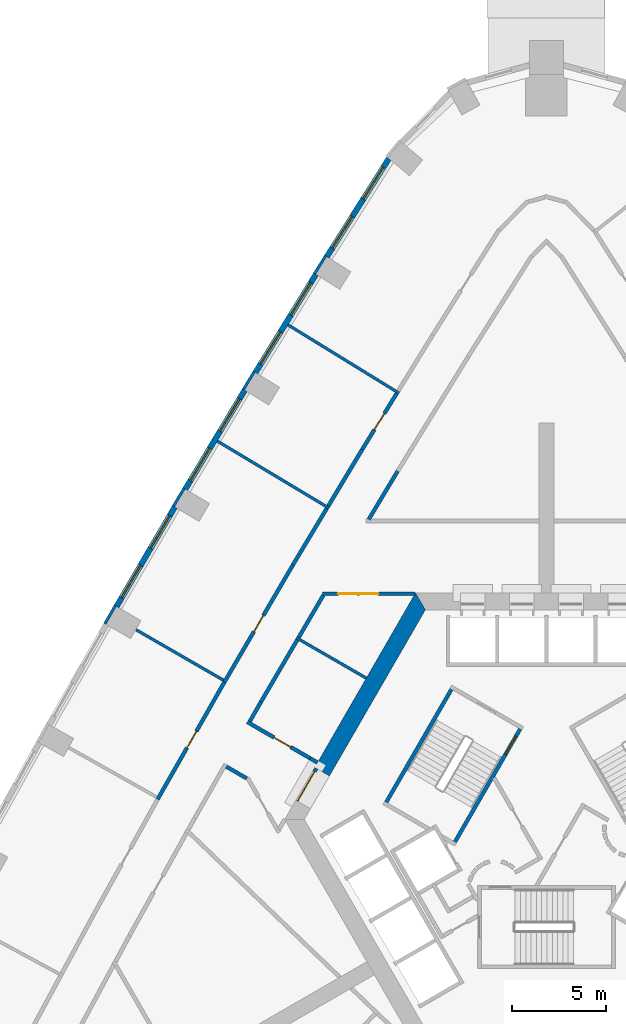
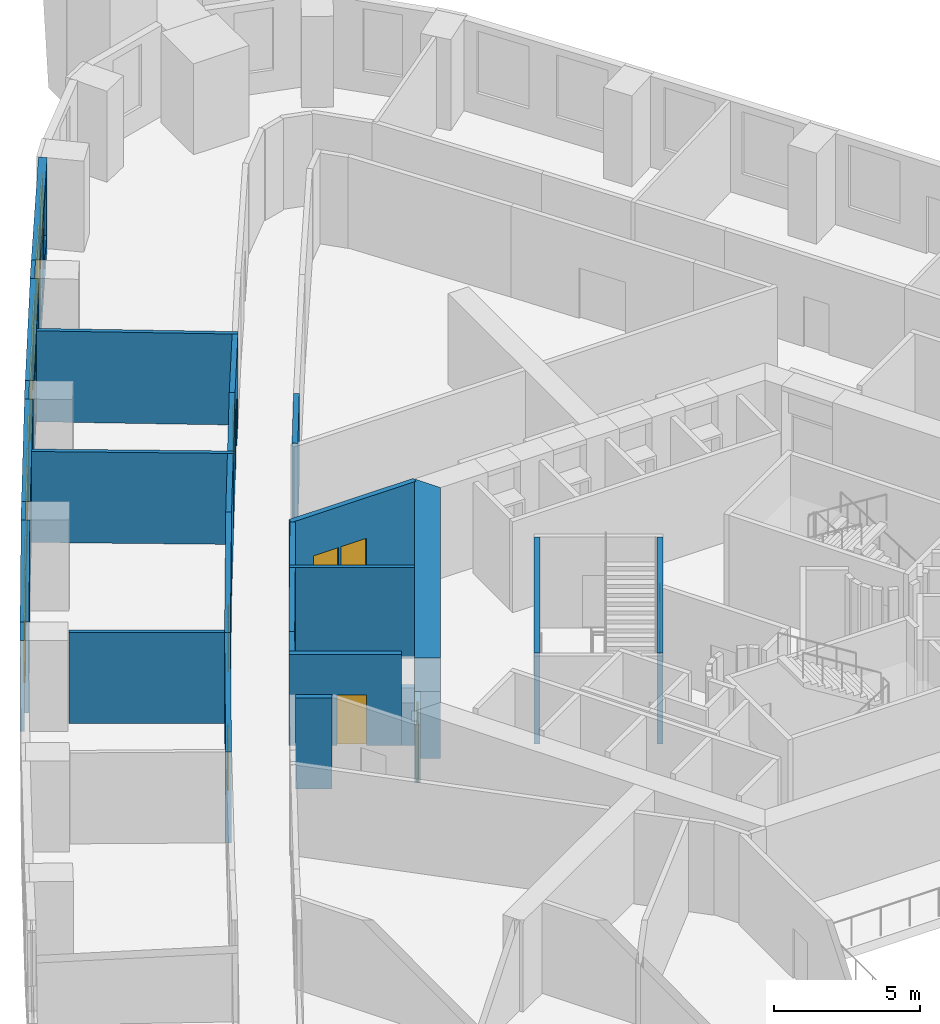
# One storey, part 8 of 15: 29 walls, 8 doors, 8 windows, 16 openings.
"""IFC4 building model written with IfcOpenShell, lengths in metres."""

from ifc_helpers import new_model, si_unit, direction, frame, frame_2d, origin, place, context, subcontext, project, spatial, polyline, rectangle, outline, extrude, material, layer, layer_set, type_object, element, fill, save


model = new_model("IFC4")

# Units and contexts
model_context = context("Model", 3, precision=1e-05, world=origin(), true_north=direction((0.0, 1.0)))
body_context = subcontext(model_context, "Body", "Model", "MODEL_VIEW")
ifc_project = project(units=[si_unit("LENGTHUNIT", "METRE"), si_unit("AREAUNIT", "SQUARE_METRE"), si_unit("VOLUMEUNIT", "CUBIC_METRE"), si_unit("PLANEANGLEUNIT", "RADIAN"), si_unit("MASSUNIT", "GRAM", prefix="KILO")], contexts=[model_context])

# Site, building, storey
site_placement = place(None, origin())
site = spatial("IfcSite", under=ifc_project, at=site_placement, CompositionType="ELEMENT")
building_placement = place(site_placement, origin())
building = spatial("IfcBuilding", under=site, at=building_placement, Name="Entoto Arch Interchange Tower", CompositionType="ELEMENT")
storey_placement = place(building_placement, frame((0.0, 0.0, 99.199951171875)))
storey = spatial("IfcBuildingStorey", under=building, at=storey_placement, Name="L21", CompositionType="ELEMENT", Elevation=99.199951171875)

# Wall, opening, door
ifc_material_1 = material(Name="Reinforced concrete C40/50", Category="concrete")
ifc_layer_1 = layer(ifc_material_1, 0.199951171875)
ifc_layer_set_1 = layer_set([ifc_layer_1], Name="Reinforced concrete C40/50")
wall_type_1 = type_object("IfcWallType", Name="CORE GAP INFILL WALL", PredefinedType="PARTITIONING", material=ifc_layer_set_1)
wall_1_placement = place(storey_placement, frame((-12.179931640625, 5.201904296875, 0.0), z_axis=(0.0, 0.0, 1.0), x_axis=(-0.50002537861, -0.866010750942, 0.0)))
wall_1 = element("IfcWall", 1, at=wall_1_placement, inside=storey, type_object=wall_type_1, Name="wall:L21:gap3", PredefinedType="PARTITIONING", context=body_context, shape_type="SweptSolid", body=[
    extrude(rectangle(XDim=2.0, YDim=0.199951171875, at=frame_2d((1.0, 0.0))), origin(), (0.0, 0.0, 1.0), 2.400146484375),
])
opening_1_placement = place(wall_1_placement, frame((0.18994140625, 0.0, 0.0)))
opening_1 = element("IfcOpeningElement", 2, at=opening_1_placement, cuts=wall_1, Name="Opening L21-D93", PredefinedType="OPENING", context=body_context, shape_type="SweptSolid", body=[
    extrude(rectangle(XDim=1.800048828125, YDim=2.10009765625, at=frame_2d((0.89990234375, 1.050048828125))), frame((0.0, 0.10986328125, 0.0), z_axis=(0.0, -1.0, 0.0), x_axis=(1.0, 0.0, 0.0)), (0.0, 0.0, 1.0), 0.219970703125),
])
ifc_material_2 = material(Name="Fire-rated Steel S235 door and frame", Category="steel")
door_type_1 = type_object("IfcDoorType", Name="DOOR FD-18 1800x2100", OperationType="DOUBLE_DOOR_SINGLE_SWING", PredefinedType="DOOR", material=ifc_material_2)
door_1_placement = place(opening_1_placement, origin())
door_1 = element("IfcDoor", 3, at=door_1_placement, inside=storey, type_object=door_type_1, Name="door:L21:gap3", OperationType="DOUBLE_DOOR_SINGLE_SWING", OverallHeight=2.10009765625, OverallWidth=1.800048828125, PredefinedType="DOOR", context=body_context, shape_type="SweptSolid", body=[
    extrude(rectangle(XDim=1.800048828125, YDim=2.10009765625, at=frame_2d((0.89990234375, 1.050048828125))), frame((0.0, 0.02490234375, 0.0), z_axis=(0.0, -1.0, 0.0), x_axis=(1.0, 0.0, 0.0)), (0.0, 0.0, 1.0), 0.050048828125),
])
fill(opening_1, door_1)

# Walls
ifc_material_3 = material(Name="Concrete C60/75", Category="concrete")
ifc_layer_2 = layer(ifc_material_3, 0.89990234375)
ifc_layer_set_2 = layer_set([ifc_layer_2], Name="Concrete C60/75")
wall_type_2 = type_object("IfcWallType", Name="Core wall 900 C60/75", PredefinedType="SHEAR", material=ifc_layer_set_2)
wall_2_placement = place(storey_placement, frame((0.0, 0.0, -0.39990234375)))
element("IfcWall", 4, at=wall_2_placement, inside=storey, type_object=wall_type_2, Name="Core wall NW L21", PredefinedType="SHEAR", context=body_context, shape_type="SweptSolid", body=[
    extrude(outline(polyline([(-12.26708984375, 5.251953125), (-11.488037109375, 4.802001953125), (-6.408935546875, 13.60009765625), (-6.927978515625, 14.5), (-12.26708984375, 5.251953125)])), origin(), (0.0, 0.0, 1.0), 4.199951171875),
])
ifc_material_4 = material(Name="Gypsum board partition on steel studs", Category="steel")
ifc_layer_3 = layer(ifc_material_4, 0.14990234375)
ifc_layer_set_3 = layer_set([ifc_layer_3], Name="Gypsum board partition on steel studs")
wall_type_3 = type_object("IfcWallType", Name="PARTITION 150", PredefinedType="PARTITIONING", material=ifc_layer_set_3)
wall_3_placement = place(storey_placement, frame((-9.537109375, 9.98095703125, 0.0), z_axis=(0.0, 0.0, 1.0), x_axis=(-0.866007866579, 0.5000303741, 0.0)))
element("IfcWall", 5, at=wall_3_placement, inside=storey, type_object=wall_type_3, Name="wall:L21:p095", PredefinedType="PARTITIONING", context=body_context, shape_type="SweptSolid", body=[
    extrude(rectangle(XDim=4.278076171875, YDim=0.14990234375, at=frame_2d((2.13916015625, 0.0))), origin(), (0.0, 0.0, 1.0), 3.800048828125),
])
wall_4_placement = place(storey_placement, frame((-7.802001953125, 25.06396484375, 0.0), z_axis=(0.0, 0.0, 1.0), x_axis=(-0.851596352662, 0.524198103901, 0.0)))
element("IfcWall", 6, at=wall_4_placement, inside=storey, type_object=wall_type_3, Name="wall:L21:p146", PredefinedType="PARTITIONING", context=body_context, shape_type="SweptSolid", body=[
    extrude(rectangle(XDim=6.89990234375, YDim=0.14990234375, at=frame_2d((3.449951171875, 0.0))), origin(), (0.0, 0.0, 1.0), 3.800048828125),
])
wall_5_placement = place(storey_placement, frame((-11.501953125, 18.97705078125, 0.0), z_axis=(0.0, 0.0, 1.0), x_axis=(-0.857464824073, 0.514542588595, 0.0)))
element("IfcWall", 7, at=wall_5_placement, inside=storey, type_object=wall_type_3, Name="wall:L21:p147", PredefinedType="PARTITIONING", context=body_context, shape_type="SweptSolid", body=[
    extrude(rectangle(XDim=6.8994140625, YDim=0.14990234375, at=frame_2d((3.44970703125, 0.0))), origin(), (0.0, 0.0, 1.0), 3.800048828125),
])
wall_6_placement = place(storey_placement, frame((-17.10400390625, 9.875, 0.0), z_axis=(0.0, 0.0, 1.0), x_axis=(-0.866024640963, 0.500001321243, 0.0)))
element("IfcWall", 8, at=wall_6_placement, inside=storey, type_object=wall_type_3, Name="wall:L21:p148", PredefinedType="PARTITIONING", context=body_context, shape_type="SweptSolid", body=[
    extrude(rectangle(XDim=5.330078125, YDim=0.14990234375, at=frame_2d((2.6650390625, 0.0))), origin(), (0.0, 0.0, 1.0), 3.800048828125),
])
ifc_layer_4 = layer(ifc_material_4, 0.199951171875)
ifc_layer_set_4 = layer_set([ifc_layer_4], Name="Gypsum board partition on steel studs")
wall_type_4 = type_object("IfcWallType", Name="PARTITION 200", PredefinedType="PARTITIONING", material=ifc_layer_set_4)
wall_7_placement = place(storey_placement, frame((-11.81396484375, 14.364013671875, 0.0), z_axis=(0.0, 0.0, 1.0), x_axis=(-0.504658640018, -0.863318977583, 0.0)))
element("IfcWall", 9, at=wall_7_placement, inside=storey, type_object=wall_type_4, Name="wall:L21:p001", PredefinedType="PARTITIONING", context=body_context, shape_type="SweptSolid", body=[
    extrude(rectangle(XDim=2.581787109375, YDim=0.199951171875, at=frame_2d((1.291015625, 0.0))), origin(), (0.0, 0.0, 1.0), 3.800048828125),
])
wall_8_placement = place(storey_placement, frame((-13.193115234375, 12.0048828125, 0.0), z_axis=(0.0, 0.0, 1.0), x_axis=(-0.50499711829, -0.863121028894, 0.0)))
element("IfcWall", 10, at=wall_8_placement, inside=storey, type_object=wall_type_4, Name="wall:L21:p002", PredefinedType="PARTITIONING", context=body_context, shape_type="SweptSolid", body=[
    extrude(rectangle(XDim=3.7998046875, YDim=0.199951171875, at=frame_2d((1.89990234375, 0.0))), origin(), (0.0, 0.0, 1.0), 3.800048828125),
])
wall_9_placement = place(storey_placement, frame((-15.112060546875, 8.72509765625, 0.0), z_axis=(0.0, 0.0, 1.0), x_axis=(-0.495074026382, -0.868850797549, 0.0)))
element("IfcWall", 11, at=wall_9_placement, inside=storey, type_object=wall_type_4, Name="wall:L21:p003", PredefinedType="PARTITIONING", context=body_context, shape_type="SweptSolid", body=[
    extrude(rectangle(XDim=1.185546875, YDim=0.199951171875, at=frame_2d((0.5927734375, 0.0))), origin(), (0.0, 0.0, 1.0), 3.800048828125),
])

# Wall, opening, door
wall_10_placement = place(storey_placement, frame((-15.8349609375, 7.657958984375, 0.0), z_axis=(0.0, 0.0, 1.0), x_axis=(0.866076614194, -0.499911290476, 0.0)))
wall_10 = element("IfcWall", 12, at=wall_10_placement, inside=storey, type_object=wall_type_4, Name="wall:L21:p004", PredefinedType="PARTITIONING", context=body_context, shape_type="SweptSolid", body=[
    extrude(rectangle(XDim=3.842529296875, YDim=0.199951171875, at=frame_2d((1.92138671875, 0.0))), origin(), (0.0, 0.0, 1.0), 3.800048828125),
])
opening_2_placement = place(wall_10_placement, frame((1.64599609375, 0.0, 0.0)))
opening_2 = element("IfcOpeningElement", 13, at=opening_2_placement, cuts=wall_10, Name="Opening L21-D33", PredefinedType="OPENING", context=body_context, shape_type="SweptSolid", body=[
    extrude(rectangle(XDim=1.0, YDim=2.10009765625, at=frame_2d((0.5, 1.050048828125))), frame((0.0, 0.10986328125, 0.0), z_axis=(0.0, -1.0, 0.0), x_axis=(1.0, 0.0, 0.0)), (0.0, 0.0, 1.0), 0.219970703125),
])
ifc_material_5 = material(Name="Timber door leaf in Steel S235 frame", Category="steel")
door_type_2 = type_object("IfcDoorType", Name="DOOR DS-10 1000x2100", OperationType="SINGLE_SWING_LEFT", PredefinedType="DOOR", material=ifc_material_5)
door_2_placement = place(opening_2_placement, origin())
door_2 = element("IfcDoor", 14, at=door_2_placement, inside=storey, type_object=door_type_2, Name="door:L21:33", OperationType="SINGLE_SWING_LEFT", OverallHeight=2.10009765625, OverallWidth=1.0, PredefinedType="DOOR", context=body_context, shape_type="SweptSolid", body=[
    extrude(rectangle(XDim=1.0, YDim=2.10009765625, at=frame_2d((0.5, 1.050048828125))), frame((0.0, 0.02490234375, 0.0), z_axis=(0.0, -1.0, 0.0), x_axis=(1.0, 0.0, 0.0)), (0.0, 0.0, 1.0), 0.050048828125),
])
fill(opening_2, door_2)

# Walls
wall_11_placement = place(storey_placement, frame((-7.875, 20.93994140625, 0.0), z_axis=(0.0, 0.0, 1.0), x_axis=(-0.514399309837, -0.857550785691, 0.0)))
element("IfcWall", 15, at=wall_11_placement, inside=storey, type_object=wall_type_4, Name="wall:L21:p016", PredefinedType="PARTITIONING", context=body_context, shape_type="SweptSolid", body=[
    extrude(rectangle(XDim=2.978271484375, YDim=0.199951171875, at=frame_2d((1.4892578125, 0.0))), origin(), (0.0, 0.0, 1.0), 3.800048828125),
])
wall_12_placement = place(storey_placement, frame((-15.860107421875, 4.6708984375, 0.0), z_axis=(0.0, 0.0, 1.0), x_axis=(-0.866192052573, 0.49971124468, 0.0)))
element("IfcWall", 16, at=wall_12_placement, inside=storey, type_object=wall_type_4, Name="wall:L21:p029", PredefinedType="PARTITIONING", context=body_context, shape_type="SweptSolid", body=[
    extrude(rectangle(XDim=1.257080078125, YDim=0.199951171875, at=frame_2d((0.62841796875, 0.0))), origin(), (0.0, 0.0, 1.0), 3.800048828125),
])
wall_13_placement = place(storey_placement, frame((-11.549072265625, 19.092041015625, 0.0), z_axis=(0.0, 0.0, 1.0), x_axis=(0.514536939864, 0.857468213705, 0.0)))
element("IfcWall", 17, at=wall_13_placement, inside=storey, type_object=wall_type_4, Name="wall:L21:p065", PredefinedType="PARTITIONING", context=body_context, shape_type="SweptSolid", body=[
    extrude(rectangle(XDim=3.487060546875, YDim=0.199951171875, at=frame_2d((1.74365234375, 0.0))), origin(), (0.0, 0.0, 1.0), 3.800048828125),
])

# Wall, opening, door
wall_14_placement = place(storey_placement, frame((-9.7548828125, 22.08203125, 0.0), z_axis=(0.0, 0.0, 1.0), x_axis=(0.524140390501, 0.851631875311, 0.0)))
wall_14 = element("IfcWall", 18, at=wall_14_placement, inside=storey, type_object=wall_type_4, Name="wall:L21:p066", PredefinedType="PARTITIONING", context=body_context, shape_type="SweptSolid", body=[
    extrude(rectangle(XDim=3.4873046875, YDim=0.199951171875, at=frame_2d((1.74365234375, 0.0))), origin(), (0.0, 0.0, 1.0), 3.800048828125),
])
opening_3_placement = place(wall_14_placement, frame((1.243896484375, 0.0, 0.0)))
opening_3 = element("IfcOpeningElement", 19, at=opening_3_placement, cuts=wall_14, Name="Opening L21-D11", PredefinedType="OPENING", context=body_context, shape_type="SweptSolid", body=[
    extrude(rectangle(XDim=1.0, YDim=2.10009765625, at=frame_2d((0.5, 1.050048828125))), frame((0.0, 0.10986328125, 0.0), z_axis=(0.0, -1.0, 0.0), x_axis=(1.0, 0.0, 0.0)), (0.0, 0.0, 1.0), 0.219970703125),
])
door_3_placement = place(opening_3_placement, origin())
door_3 = element("IfcDoor", 20, at=door_3_placement, inside=storey, type_object=door_type_2, Name="door:L21:11", OperationType="SINGLE_SWING_LEFT", OverallHeight=2.10009765625, OverallWidth=1.0, PredefinedType="DOOR", context=body_context, shape_type="SweptSolid", body=[
    extrude(rectangle(XDim=1.0, YDim=2.10009765625, at=frame_2d((0.5, 1.050048828125))), frame((0.0, 0.02490234375, 0.0), z_axis=(0.0, -1.0, 0.0), x_axis=(1.0, 0.0, 0.0)), (0.0, 0.0, 1.0), 0.050048828125),
])
fill(opening_3, door_3)

wall_15_placement = place(storey_placement, frame((-17.054931640625, 9.760009765625, 0.0), z_axis=(0.0, 0.0, 1.0), x_axis=(0.504817517618, 0.863226085047, 0.0)))
wall_15 = element("IfcWall", 21, at=wall_15_placement, inside=storey, type_object=wall_type_4, Name="wall:L21:p067", PredefinedType="PARTITIONING", context=body_context, shape_type="SweptSolid", body=[
    extrude(rectangle(XDim=7.19873046875, YDim=0.199951171875, at=frame_2d((3.599365234375, 0.0))), origin(), (0.0, 0.0, 1.0), 3.800048828125),
])
opening_4_placement = place(wall_15_placement, frame((3.09912109375, 0.0, 0.0)))
opening_4 = element("IfcOpeningElement", 22, at=opening_4_placement, cuts=wall_15, Name="Opening L21-D12", PredefinedType="OPENING", context=body_context, shape_type="SweptSolid", body=[
    extrude(rectangle(XDim=1.0, YDim=2.10009765625, at=frame_2d((0.5, 1.050048828125))), frame((0.0, 0.10986328125, 0.0), z_axis=(0.0, -1.0, 0.0), x_axis=(1.0, 0.0, 0.0)), (0.0, 0.0, 1.0), 0.219970703125),
])
door_4_placement = place(opening_4_placement, origin())
door_4 = element("IfcDoor", 23, at=door_4_placement, inside=storey, type_object=door_type_2, Name="door:L21:12", OperationType="SINGLE_SWING_LEFT", OverallHeight=2.10009765625, OverallWidth=1.0, PredefinedType="DOOR", context=body_context, shape_type="SweptSolid", body=[
    extrude(rectangle(XDim=1.0, YDim=2.10009765625, at=frame_2d((0.5, 1.050048828125))), frame((0.0, 0.02490234375, 0.0), z_axis=(0.0, -1.0, 0.0), x_axis=(1.0, 0.0, 0.0)), (0.0, 0.0, 1.0), 0.050048828125),
])
fill(opening_4, door_4)

# Wall
wall_16_placement = place(storey_placement, frame((-13.4208984375, 15.97412109375, 0.0), z_axis=(0.0, 0.0, 1.0), x_axis=(0.514691349792, 0.857375538751, 0.0)))
element("IfcWall", 24, at=wall_16_placement, inside=storey, type_object=wall_type_4, Name="wall:L21:p068", PredefinedType="PARTITIONING", context=body_context, shape_type="SweptSolid", body=[
    extrude(rectangle(XDim=3.4873046875, YDim=0.199951171875, at=frame_2d((1.74365234375, 0.0))), origin(), (0.0, 0.0, 1.0), 3.800048828125),
])

# Wall, opening, door
wall_17_placement = place(storey_placement, frame((-20.5810546875, 3.571044921875, 0.0), z_axis=(0.0, 0.0, 1.0), x_axis=(0.495138372197, 0.868814129937, 0.0)))
wall_17 = element("IfcWall", 25, at=wall_17_placement, inside=storey, type_object=wall_type_4, Name="wall:L21:p069", PredefinedType="PARTITIONING", context=body_context, shape_type="SweptSolid", body=[
    extrude(rectangle(XDim=7.12353515625, YDim=0.199951171875, at=frame_2d((3.561767578125, 0.0))), origin(), (0.0, 0.0, 1.0), 3.800048828125),
])
opening_5_placement = place(wall_17_placement, frame((3.136962890625, 0.0, 0.0)))
opening_5 = element("IfcOpeningElement", 26, at=opening_5_placement, cuts=wall_17, Name="Opening L21-D13", PredefinedType="OPENING", context=body_context, shape_type="SweptSolid", body=[
    extrude(rectangle(XDim=1.0, YDim=2.10009765625, at=frame_2d((0.5, 1.050048828125))), frame((0.0, 0.10986328125, 0.0), z_axis=(0.0, -1.0, 0.0), x_axis=(1.0, 0.0, 0.0)), (0.0, 0.0, 1.0), 0.219970703125),
])
door_5_placement = place(opening_5_placement, origin())
door_5 = element("IfcDoor", 27, at=door_5_placement, inside=storey, type_object=door_type_2, Name="door:L21:13", OperationType="SINGLE_SWING_LEFT", OverallHeight=2.10009765625, OverallWidth=1.0, PredefinedType="DOOR", context=body_context, shape_type="SweptSolid", body=[
    extrude(rectangle(XDim=1.0, YDim=2.10009765625, at=frame_2d((0.5, 1.050048828125))), frame((0.0, 0.02490234375, 0.0), z_axis=(0.0, -1.0, 0.0), x_axis=(1.0, 0.0, 0.0)), (0.0, 0.0, 1.0), 0.050048828125),
])
fill(opening_5, door_5)

# Wall, openings, doors
wall_18_placement = place(storey_placement, frame((-6.95703125, 14.449951171875, 0.0), z_axis=(0.0, 0.0, 1.0), x_axis=(-1.0, 0.0, 0.0)))
wall_18 = element("IfcWall", 28, at=wall_18_placement, inside=storey, type_object=wall_type_4, Name="wall:L21:p096", PredefinedType="PARTITIONING", context=body_context, shape_type="SweptSolid", body=[
    extrude(rectangle(XDim=4.906005859375, YDim=0.199951171875, at=frame_2d((2.453125, 0.0))), origin(), (0.0, 0.0, 1.0), 3.800048828125),
])
opening_6_placement = place(wall_18_placement, frame((1.952880859375, 0.0, 0.0)))
opening_6 = element("IfcOpeningElement", 29, at=opening_6_placement, cuts=wall_18, Name="Opening L21-D32", PredefinedType="OPENING", context=body_context, shape_type="SweptSolid", body=[
    extrude(rectangle(XDim=1.0, YDim=2.10009765625, at=frame_2d((0.5, 1.050048828125))), frame((0.0, 0.10986328125, 0.0), z_axis=(0.0, -1.0, 0.0), x_axis=(1.0, 0.0, 0.0)), (0.0, 0.0, 1.0), 0.219970703125),
])
opening_7_placement = place(wall_18_placement, frame((3.052978515625, 0.0, 0.0)))
opening_7 = element("IfcOpeningElement", 30, at=opening_7_placement, cuts=wall_18, Name="Opening L21-D40", PredefinedType="OPENING", context=body_context, shape_type="SweptSolid", body=[
    extrude(rectangle(XDim=1.0, YDim=2.10009765625, at=frame_2d((0.5, 1.050048828125))), frame((0.0, 0.10986328125, 0.0), z_axis=(0.0, -1.0, 0.0), x_axis=(1.0, 0.0, 0.0)), (0.0, 0.0, 1.0), 0.219970703125),
])
door_6_placement = place(opening_6_placement, origin())
door_6 = element("IfcDoor", 31, at=door_6_placement, inside=storey, type_object=door_type_2, Name="door:L21:32", OperationType="SINGLE_SWING_LEFT", OverallHeight=2.10009765625, OverallWidth=1.0, PredefinedType="DOOR", context=body_context, shape_type="SweptSolid", body=[
    extrude(rectangle(XDim=1.0, YDim=2.10009765625, at=frame_2d((0.5, 1.050048828125))), frame((0.0, 0.02490234375, 0.0), z_axis=(0.0, -1.0, 0.0), x_axis=(1.0, 0.0, 0.0)), (0.0, 0.0, 1.0), 0.050048828125),
])
fill(opening_6, door_6)
door_7_placement = place(opening_7_placement, origin())
door_7 = element("IfcDoor", 32, at=door_7_placement, inside=storey, type_object=door_type_2, Name="door:L21:40", OperationType="SINGLE_SWING_RIGHT", OverallHeight=2.10009765625, OverallWidth=1.0, PredefinedType="DOOR", context=body_context, shape_type="SweptSolid", body=[
    extrude(rectangle(XDim=1.0, YDim=2.10009765625, at=frame_2d((0.5, 1.050048828125))), frame((0.0, 0.02490234375, 0.0), z_axis=(0.0, -1.0, 0.0), x_axis=(1.0, 0.0, 0.0)), (0.0, 0.0, 1.0), 0.050048828125),
])
fill(opening_7, door_7)

# Wall
wall_19_placement = place(storey_placement, frame((-12.507080078125, 5.737060546875, 0.0), z_axis=(0.0, 0.0, 1.0), x_axis=(0.866167537795, -0.499753735824, 0.0)))
element("IfcWall", 33, at=wall_19_placement, inside=storey, type_object=wall_type_4, Name="wall:L21:p004", PredefinedType="PARTITIONING", context=body_context, shape_type="SweptSolid", body=[
    extrude(rectangle(XDim=0.450439453125, YDim=0.199951171875, at=frame_2d((0.22509765625, 0.0))), origin(), (0.0, 0.0, 1.0), 2.400146484375),
])

# Wall, opening, door
ifc_material_6 = material(Name="Concrete C40/50", Category="concrete")
ifc_layer_5 = layer(ifc_material_6, 0.199951171875)
ifc_layer_set_5 = layer_set([ifc_layer_5], Name="Concrete C40/50")
wall_type_5 = type_object("IfcWallType", Name="STAIR ENCLOSURE WALL 200", PredefinedType="STANDARD", material=ifc_layer_set_5)
wall_20_placement = place(storey_placement, frame((-1.39306640625, 7.2880859375, 0.0), z_axis=(0.0, 0.0, 1.0), x_axis=(-0.499963383562, -0.866046543262, 0.0)))
wall_20 = element("IfcWall", 34, at=wall_20_placement, inside=storey, type_object=wall_type_5, Name="Stair wall ST-NW hall", PredefinedType="STANDARD", context=body_context, shape_type="SweptSolid", body=[
    extrude(rectangle(XDim=6.900390625, YDim=0.199951171875, at=frame_2d((3.4501953125, 0.0))), origin(), (0.0, 0.0, 1.0), 3.800048828125),
])
opening_8_placement = place(wall_20_placement, frame((0.449951171875, 0.0, 0.0)))
opening_8 = element("IfcOpeningElement", 35, at=opening_8_placement, cuts=wall_20, Name="Opening SD-ST-NW-L21", PredefinedType="OPENING", context=body_context, shape_type="SweptSolid", body=[
    extrude(rectangle(XDim=1.10009765625, YDim=2.199951171875, at=frame_2d((0.550048828125, 1.10009765625))), frame((0.0, 0.10986328125, 0.0), z_axis=(0.0, -1.0, 0.0), x_axis=(1.0, 0.0, 0.0)), (0.0, 0.0, 1.0), 0.219970703125),
])
ifc_material_7 = material(Name="Steel S235", Category="steel")
door_type_3 = type_object("IfcDoorType", Name="STAIR DOOR SD1 1100x2200", OperationType="SINGLE_SWING_LEFT", PredefinedType="DOOR", material=ifc_material_7)
door_8_placement = place(opening_8_placement, origin())
door_8 = element("IfcDoor", 36, at=door_8_placement, inside=storey, type_object=door_type_3, Name="Stair door ST-NW L21", OperationType="SINGLE_SWING_LEFT", OverallHeight=2.199951171875, OverallWidth=1.10009765625, PredefinedType="DOOR", context=body_context, shape_type="SweptSolid", body=[
    extrude(rectangle(XDim=1.10009765625, YDim=2.199951171875, at=frame_2d((0.550048828125, 1.10009765625))), frame((0.0, 0.02490234375, 0.0), z_axis=(0.0, -1.0, 0.0), x_axis=(1.0, 0.0, 0.0)), (0.0, 0.0, 1.0), 0.050048828125),
])
fill(opening_8, door_8)

# Wall
wall_21_placement = place(storey_placement, frame((-5.030029296875, 9.387939453125, 0.0), z_axis=(0.0, 0.0, 1.0), x_axis=(-0.499978703459, -0.866037698999, 0.0)))
element("IfcWall", 37, at=wall_21_placement, inside=storey, type_object=wall_type_5, Name="Stair wall ST-NW back", PredefinedType="STANDARD", context=body_context, shape_type="SweptSolid", body=[
    extrude(rectangle(XDim=6.900146484375, YDim=0.199951171875, at=frame_2d((3.4501953125, 0.0))), origin(), (0.0, 0.0, 1.0), 3.800048828125),
])

# Wall, openings, windows
ifc_material_8 = material(Name="Welded tuff (ignimbrite) cladding, warm buff", Category="masonry")
ifc_layer_6 = layer(ifc_material_8, 0.300048828125)
ifc_layer_set_6 = layer_set([ifc_layer_6], Name="Welded tuff (ignimbrite) cladding, warm buff")
wall_type_6 = type_object("IfcWallType", Name="STONE INFILL WALL 300", PredefinedType="STANDARD", material=ifc_layer_set_6)
wall_22_placement = place(storey_placement, frame((-8.347900390625, 37.47998046875, 0.0), z_axis=(0.0, 0.0, 1.0), x_axis=(-0.534018429465, -0.845472836342, 0.0)))
wall_22 = element("IfcWall", 38, at=wall_22_placement, inside=storey, type_object=wall_type_6, Name="Facade wall NW-01 L21", PredefinedType="STANDARD", context=body_context, shape_type="SweptSolid", body=[
    extrude(rectangle(XDim=6.138427734375, YDim=0.300048828125, at=frame_2d((3.0693359375, 0.0))), origin(), (0.0, 0.0, 1.0), 3.800048828125),
])
opening_9_placement = place(wall_22_placement, frame((0.534912109375, 0.0, 0.89990234375)))
opening_9 = element("IfcOpeningElement", 39, at=opening_9_placement, cuts=wall_22, Name="Opening WO-C", PredefinedType="OPENING", context=body_context, shape_type="SweptSolid", body=[
    extrude(rectangle(XDim=2.0, YDim=2.60009765625, at=frame_2d((1.0, 1.300048828125))), frame((0.0, 0.16015625, 0.0), z_axis=(0.0, -1.0, 0.0), x_axis=(1.0, 0.0, 0.0)), (0.0, 0.0, 1.0), 0.320068359375),
])
opening_10_placement = place(wall_22_placement, frame((3.60400390625, 0.0, 0.89990234375)))
opening_10 = element("IfcOpeningElement", 40, at=opening_10_placement, cuts=wall_22, Name="Opening WO-C", PredefinedType="OPENING", context=body_context, shape_type="SweptSolid", body=[
    extrude(rectangle(XDim=2.0, YDim=2.60009765625, at=frame_2d((1.0, 1.300048828125))), frame((0.0, 0.16015625, 0.0), z_axis=(0.0, -1.0, 0.0), x_axis=(1.0, 0.0, 0.0)), (0.0, 0.0, 1.0), 0.320068359375),
])
ifc_material_9 = material(Name="Clear glass, low-e double glazed", Category="glass")
window_type = type_object("IfcWindowType", Name="WINDOW WO-C 2000x2600", PartitioningType="DOUBLE_PANEL_VERTICAL", PredefinedType="WINDOW", material=ifc_material_9)
window_1_placement = place(opening_9_placement, origin())
window_1 = element("IfcWindow", 41, at=window_1_placement, inside=storey, type_object=window_type, Name="Window WO-C NW-01 L21", OverallHeight=2.60009765625, OverallWidth=2.0, PartitioningType="SINGLE_PANEL", PredefinedType="WINDOW", context=body_context, shape_type="SweptSolid", body=[
    extrude(rectangle(XDim=2.0, YDim=2.60009765625, at=frame_2d((1.0, 1.300048828125))), frame((0.0, 0.030029296875, 0.0), z_axis=(0.0, -1.0, 0.0), x_axis=(1.0, 0.0, 0.0)), (0.0, 0.0, 1.0), 0.06005859375),
])
fill(opening_9, window_1)
window_2_placement = place(opening_10_placement, origin())
window_2 = element("IfcWindow", 42, at=window_2_placement, inside=storey, type_object=window_type, Name="Window WO-C NW-01 L21", OverallHeight=2.60009765625, OverallWidth=2.0, PartitioningType="SINGLE_PANEL", PredefinedType="WINDOW", context=body_context, shape_type="SweptSolid", body=[
    extrude(rectangle(XDim=2.0, YDim=2.60009765625, at=frame_2d((1.0, 1.300048828125))), frame((0.0, 0.030029296875, 0.0), z_axis=(0.0, -1.0, 0.0), x_axis=(1.0, 0.0, 0.0)), (0.0, 0.0, 1.0), 0.06005859375),
])
fill(opening_10, window_2)

wall_23_placement = place(storey_placement, frame((-12.20703125, 31.35791015625, 0.0), z_axis=(0.0, 0.0, 1.0), x_axis=(-0.524121974895, -0.851643208998, 0.0)))
wall_23 = element("IfcWall", 43, at=wall_23_placement, inside=storey, type_object=wall_type_6, Name="Facade wall NW-02 L21", PredefinedType="STANDARD", context=body_context, shape_type="SweptSolid", body=[
    extrude(rectangle(XDim=6.103515625, YDim=0.300048828125, at=frame_2d((3.0517578125, 0.0))), origin(), (0.0, 0.0, 1.0), 3.800048828125),
])
opening_11_placement = place(wall_23_placement, frame((0.52587890625, 0.0, 0.89990234375)))
opening_11 = element("IfcOpeningElement", 44, at=opening_11_placement, cuts=wall_23, Name="Opening WO-C", PredefinedType="OPENING", context=body_context, shape_type="SweptSolid", body=[
    extrude(rectangle(XDim=2.0, YDim=2.60009765625, at=frame_2d((1.0, 1.300048828125))), frame((0.0, 0.16015625, 0.0), z_axis=(0.0, -1.0, 0.0), x_axis=(1.0, 0.0, 0.0)), (0.0, 0.0, 1.0), 0.320068359375),
])
opening_12_placement = place(wall_23_placement, frame((3.577880859375, 0.0, 0.89990234375)))
opening_12 = element("IfcOpeningElement", 45, at=opening_12_placement, cuts=wall_23, Name="Opening WO-C", PredefinedType="OPENING", context=body_context, shape_type="SweptSolid", body=[
    extrude(rectangle(XDim=2.0, YDim=2.60009765625, at=frame_2d((1.0, 1.300048828125))), frame((0.0, 0.16015625, 0.0), z_axis=(0.0, -1.0, 0.0), x_axis=(1.0, 0.0, 0.0)), (0.0, 0.0, 1.0), 0.320068359375),
])
window_3_placement = place(opening_11_placement, origin())
window_3 = element("IfcWindow", 46, at=window_3_placement, inside=storey, type_object=window_type, Name="Window WO-C NW-02 L21", OverallHeight=2.60009765625, OverallWidth=2.0, PartitioningType="SINGLE_PANEL", PredefinedType="WINDOW", context=body_context, shape_type="SweptSolid", body=[
    extrude(rectangle(XDim=2.0, YDim=2.60009765625, at=frame_2d((1.0, 1.300048828125))), frame((0.0, 0.030029296875, 0.0), z_axis=(0.0, -1.0, 0.0), x_axis=(1.0, 0.0, 0.0)), (0.0, 0.0, 1.0), 0.06005859375),
])
fill(opening_11, window_3)
window_4_placement = place(opening_12_placement, origin())
window_4 = element("IfcWindow", 47, at=window_4_placement, inside=storey, type_object=window_type, Name="Window WO-C NW-02 L21", OverallHeight=2.60009765625, OverallWidth=2.0, PartitioningType="SINGLE_PANEL", PredefinedType="WINDOW", context=body_context, shape_type="SweptSolid", body=[
    extrude(rectangle(XDim=2.0, YDim=2.60009765625, at=frame_2d((1.0, 1.300048828125))), frame((0.0, 0.030029296875, 0.0), z_axis=(0.0, -1.0, 0.0), x_axis=(1.0, 0.0, 0.0)), (0.0, 0.0, 1.0), 0.06005859375),
])
fill(opening_12, window_4)

wall_24_placement = place(storey_placement, frame((-15.97607421875, 25.220947265625, 0.0), z_axis=(0.0, 0.0, 1.0), x_axis=(-0.514560454873, -0.857454102726, 0.0)))
wall_24 = element("IfcWall", 48, at=wall_24_placement, inside=storey, type_object=wall_type_6, Name="Facade wall NW-03 L21", PredefinedType="STANDARD", context=body_context, shape_type="SweptSolid", body=[
    extrude(rectangle(XDim=6.10400390625, YDim=0.300048828125, at=frame_2d((3.052001953125, 0.0))), origin(), (0.0, 0.0, 1.0), 3.800048828125),
])
opening_13_placement = place(wall_24_placement, frame((0.52587890625, 0.0, 0.89990234375)))
opening_13 = element("IfcOpeningElement", 49, at=opening_13_placement, cuts=wall_24, Name="Opening WO-C", PredefinedType="OPENING", context=body_context, shape_type="SweptSolid", body=[
    extrude(rectangle(XDim=2.0, YDim=2.60009765625, at=frame_2d((1.0, 1.300048828125))), frame((0.0, 0.16015625, 0.0), z_axis=(0.0, -1.0, 0.0), x_axis=(1.0, 0.0, 0.0)), (0.0, 0.0, 1.0), 0.320068359375),
])
opening_14_placement = place(wall_24_placement, frame((3.577880859375, 0.0, 0.89990234375)))
opening_14 = element("IfcOpeningElement", 50, at=opening_14_placement, cuts=wall_24, Name="Opening WO-C", PredefinedType="OPENING", context=body_context, shape_type="SweptSolid", body=[
    extrude(rectangle(XDim=2.0, YDim=2.60009765625, at=frame_2d((1.0, 1.300048828125))), frame((0.0, 0.16015625, 0.0), z_axis=(0.0, -1.0, 0.0), x_axis=(1.0, 0.0, 0.0)), (0.0, 0.0, 1.0), 0.320068359375),
])
window_5_placement = place(opening_13_placement, origin())
window_5 = element("IfcWindow", 51, at=window_5_placement, inside=storey, type_object=window_type, Name="Window WO-C NW-03 L21", OverallHeight=2.60009765625, OverallWidth=2.0, PartitioningType="SINGLE_PANEL", PredefinedType="WINDOW", context=body_context, shape_type="SweptSolid", body=[
    extrude(rectangle(XDim=2.0, YDim=2.60009765625, at=frame_2d((1.0, 1.300048828125))), frame((0.0, 0.030029296875, 0.0), z_axis=(0.0, -1.0, 0.0), x_axis=(1.0, 0.0, 0.0)), (0.0, 0.0, 1.0), 0.06005859375),
])
fill(opening_13, window_5)
window_6_placement = place(opening_14_placement, origin())
window_6 = element("IfcWindow", 52, at=window_6_placement, inside=storey, type_object=window_type, Name="Window WO-C NW-03 L21", OverallHeight=2.60009765625, OverallWidth=2.0, PartitioningType="SINGLE_PANEL", PredefinedType="WINDOW", context=body_context, shape_type="SweptSolid", body=[
    extrude(rectangle(XDim=2.0, YDim=2.60009765625, at=frame_2d((1.0, 1.300048828125))), frame((0.0, 0.030029296875, 0.0), z_axis=(0.0, -1.0, 0.0), x_axis=(1.0, 0.0, 0.0)), (0.0, 0.0, 1.0), 0.06005859375),
])
fill(opening_14, window_6)

wall_25_placement = place(storey_placement, frame((-19.677001953125, 19.04296875, 0.0), z_axis=(0.0, 0.0, 1.0), x_axis=(-0.50490018297, -0.863177736759, 0.0)))
wall_25 = element("IfcWall", 53, at=wall_25_placement, inside=storey, type_object=wall_type_6, Name="Facade wall NW-04 L21", PredefinedType="STANDARD", context=body_context, shape_type="SweptSolid", body=[
    extrude(rectangle(XDim=6.104248046875, YDim=0.300048828125, at=frame_2d((3.05224609375, 0.0))), origin(), (0.0, 0.0, 1.0), 3.800048828125),
])
opening_15_placement = place(wall_25_placement, frame((0.52587890625, 0.0, 0.89990234375)))
opening_15 = element("IfcOpeningElement", 54, at=opening_15_placement, cuts=wall_25, Name="Opening WO-C", PredefinedType="OPENING", context=body_context, shape_type="SweptSolid", body=[
    extrude(rectangle(XDim=2.0, YDim=2.60009765625, at=frame_2d((1.0, 1.300048828125))), frame((0.0, 0.16015625, 0.0), z_axis=(0.0, -1.0, 0.0), x_axis=(1.0, 0.0, 0.0)), (0.0, 0.0, 1.0), 0.320068359375),
])
opening_16_placement = place(wall_25_placement, frame((3.577880859375, 0.0, 0.89990234375)))
opening_16 = element("IfcOpeningElement", 55, at=opening_16_placement, cuts=wall_25, Name="Opening WO-C", PredefinedType="OPENING", context=body_context, shape_type="SweptSolid", body=[
    extrude(rectangle(XDim=2.0, YDim=2.60009765625, at=frame_2d((1.0, 1.300048828125))), frame((0.0, 0.16015625, 0.0), z_axis=(0.0, -1.0, 0.0), x_axis=(1.0, 0.0, 0.0)), (0.0, 0.0, 1.0), 0.320068359375),
])
window_7_placement = place(opening_15_placement, origin())
window_7 = element("IfcWindow", 56, at=window_7_placement, inside=storey, type_object=window_type, Name="Window WO-C NW-04 L21", OverallHeight=2.60009765625, OverallWidth=2.0, PartitioningType="SINGLE_PANEL", PredefinedType="WINDOW", context=body_context, shape_type="SweptSolid", body=[
    extrude(rectangle(XDim=2.0, YDim=2.60009765625, at=frame_2d((1.0, 1.300048828125))), frame((0.0, 0.030029296875, 0.0), z_axis=(0.0, -1.0, 0.0), x_axis=(1.0, 0.0, 0.0)), (0.0, 0.0, 1.0), 0.06005859375),
])
fill(opening_15, window_7)
window_8_placement = place(opening_16_placement, origin())
window_8 = element("IfcWindow", 57, at=window_8_placement, inside=storey, type_object=window_type, Name="Window WO-C NW-04 L21", OverallHeight=2.60009765625, OverallWidth=2.0, PartitioningType="SINGLE_PANEL", PredefinedType="WINDOW", context=body_context, shape_type="SweptSolid", body=[
    extrude(rectangle(XDim=2.0, YDim=2.60009765625, at=frame_2d((1.0, 1.300048828125))), frame((0.0, 0.030029296875, 0.0), z_axis=(0.0, -1.0, 0.0), x_axis=(1.0, 0.0, 0.0)), (0.0, 0.0, 1.0), 0.06005859375),
])
fill(opening_16, window_8)

# Walls
ifc_layer_7 = layer(ifc_material_8, 0.14990234375)
ifc_layer_set_7 = layer_set([ifc_layer_7], Name="Welded tuff (ignimbrite) cladding, warm buff")
wall_type_7 = type_object("IfcWallType", Name="STONE PIER CLADDING 150", PredefinedType="STANDARD", material=ifc_layer_set_7)
for number, where, z_axis, x_axis, name in (
    (58, (-11.69091796875, 32.33203125, 0.0), (0.0, 0.0, 1.0), (-0.529879262372, -0.848073090782, 0.0), "Stone pier NW02 L21"),
    (59, (-15.471923828125, 26.200927734375, 0.0), (0.0, 0.0, 1.0), (-0.519869515594, -0.854245682901, 0.0), "Stone pier NW03 L21"),
):
    element("IfcWall", number, at=place(storey_placement, frame(where, z_axis=z_axis, x_axis=x_axis)), inside=storey, type_object=wall_type_7, Name=name, PredefinedType="STANDARD", context=body_context, shape_type="SweptSolid", body=[
        extrude(rectangle(XDim=1.100341796875, YDim=0.14990234375, at=frame_2d((0.55029296875, 0.0))), origin(), (0.0, 0.0, 1.0), 3.800048828125),
    ])
wall_26_placement = place(storey_placement, frame((-19.18408203125, 20.028076171875, 0.0), z_axis=(0.0, 0.0, 1.0), x_axis=(-0.510082245696, -0.860125631885, 0.0)))
element("IfcWall", 60, at=wall_26_placement, inside=storey, type_object=wall_type_7, Name="Stone pier NW04 L21", PredefinedType="STANDARD", context=body_context, shape_type="SweptSolid", body=[
    extrude(rectangle(XDim=1.099853515625, YDim=0.14990234375, at=frame_2d((0.5498046875, 0.0))), origin(), (0.0, 0.0, 1.0), 3.800048828125),
])
wall_27_placement = place(storey_placement, frame((-22.825927734375, 13.81396484375, 0.0), z_axis=(0.0, 0.0, 1.0), x_axis=(-0.499933745558, -0.866063652425, 0.0)))
element("IfcWall", 61, at=wall_27_placement, inside=storey, type_object=wall_type_7, Name="Stone pier NW05 L21", PredefinedType="STANDARD", context=body_context, shape_type="SweptSolid", body=[
    extrude(rectangle(XDim=1.100341796875, YDim=0.14990234375, at=frame_2d((0.55029296875, 0.0))), origin(), (0.0, 0.0, 1.0), 3.800048828125),
])

save(model, "model.ifc")
